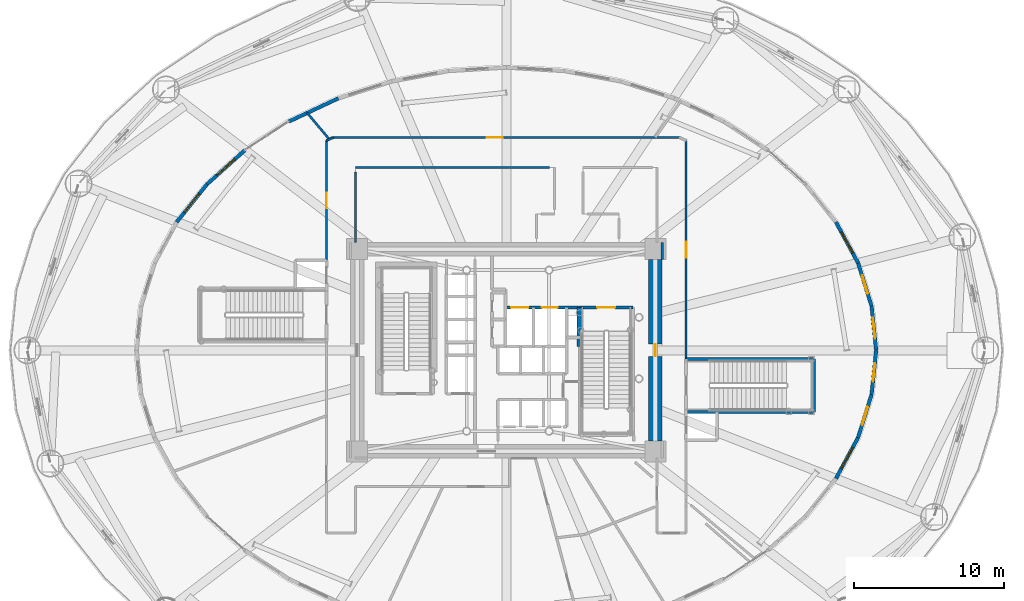
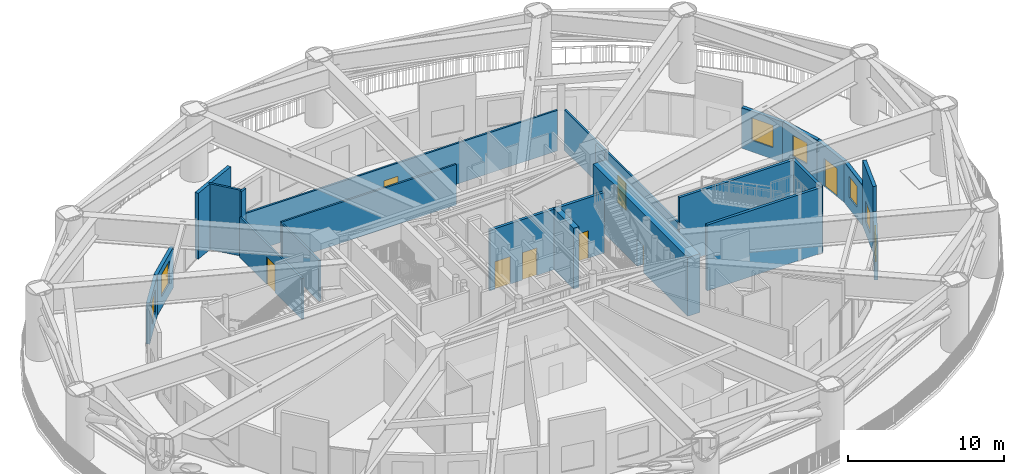
# One storey, part 25 of 39: 23 walls, 8 doors, 7 windows, 15 openings.
"""IFC4 building model written with IfcOpenShell, lengths in metres."""

from ifc_helpers import new_model, si_unit, direction, frame, frame_2d, origin, origin_2d, place, context, subcontext, project, spatial, rectangle, extrude, source, transform, mapped, material, layer, layer_set, type_object, element, fill, save


model = new_model("IFC4")

# Units and contexts
model_context = context("Model", 3, precision=1e-05, world=origin(), true_north=direction((0.0, 1.0)))
body_context = subcontext(model_context, "Body", "Model", "MODEL_VIEW")
ifc_project = project(units=[si_unit("LENGTHUNIT", "METRE"), si_unit("AREAUNIT", "SQUARE_METRE"), si_unit("VOLUMEUNIT", "CUBIC_METRE"), si_unit("PLANEANGLEUNIT", "RADIAN"), si_unit("MASSUNIT", "GRAM", prefix="KILO")], contexts=[model_context])

# Site, building, storey
site_placement = place(None, origin())
site = spatial("IfcSite", under=ifc_project, at=site_placement, CompositionType="ELEMENT")
building_placement = place(site_placement, origin())
building = spatial("IfcBuilding", under=site, at=building_placement, Name="Linh Dai School and Residence Tower", CompositionType="ELEMENT")
storey_placement = place(building_placement, frame((0.0, 0.0, 27.0)))
storey = spatial("IfcBuildingStorey", under=building, at=storey_placement, Name="L06", CompositionType="ELEMENT", Elevation=27.0)

# Wall, opening, door
ifc_material_1 = material(Name="Precast Concrete B45 (C35/45)", Category="concrete")
ifc_layer_1 = layer(ifc_material_1, 0.25)
ifc_layer_set_1 = layer_set([ifc_layer_1], Name="Precast Concrete B45 (C35/45)")
wall_type_1 = type_object("IfcWallType", Name="EW-TC-250", PredefinedType="SOLIDWALL", material=ifc_layer_set_1)
wall_1_placement = place(storey_placement, frame((60.372314453125, 29.947021484375, 0.0), z_axis=(0.0, 0.0, 1.0), x_axis=(0.102187785323, -0.994765126314, 0.0)))
wall_1 = element("IfcWall", 1, at=wall_1_placement, inside=storey, type_object=wall_type_1, Name="L06 Terracotta Exterior Wall 01", PredefinedType="SOLIDWALL", context=body_context, shape_type="SweptSolid", body=[
    extrude(rectangle(XDim=2.962646484375, YDim=0.25, at=frame_2d((1.4814453125, 0.0))), origin(), (0.0, 0.0, 1.0), 3.18505859375),
])
opening_1_placement = place(wall_1_placement, frame((0.78125, 0.0, 0.0)))
opening_1 = element("IfcOpeningElement", 2, at=opening_1_placement, cuts=wall_1, Name="Opening DD1", PredefinedType="OPENING", context=body_context, shape_type="SweptSolid", body=[
    extrude(rectangle(XDim=1.39990234375, YDim=2.199951171875, at=origin_2d()), frame((0.699951171875, 0.135009765625, 1.10009765625), z_axis=(0.0, -1.0, 0.0), x_axis=(1.0, 0.0, 0.0)), (0.0, 0.0, 1.0), 0.27001953125),
])
ifc_material_2 = material(Name="Glazed Aluminium Terrace Door", Category="aluminium")
door_type_1 = type_object("IfcDoorType", Name="DR-DECK-1400x2200", OperationType="NOTDEFINED", PredefinedType="DOOR", material=ifc_material_2)
shared_shape_1 = source(origin(), body_context, "Body", "SweptSolid", [
    extrude(rectangle(XDim=1.39990234375, YDim=2.199951171875, at=origin_2d()), frame((0.699951171875, 0.02490234375, 1.10009765625), z_axis=(0.0, -1.0, 0.0), x_axis=(1.0, 0.0, 0.0)), (0.0, 0.0, 1.0), 0.050048828125),
])
door_1_placement = place(opening_1_placement, origin())
door_1 = element("IfcDoor", 3, at=door_1_placement, inside=storey, type_object=door_type_1, Name="L06 Outdoor Terrace Access Door 01", OperationType="SINGLE_SWING_RIGHT", OverallHeight=2.199951171875, OverallWidth=1.39990234375, PredefinedType="DOOR", context=body_context, shape_type="MappedRepresentation", body=[
    mapped(shared_shape_1, transform((0.0, 0.0, 0.0), x_axis=(1.0, 0.0, 0.0), y_axis=(0.0, 1.0, 0.0), z_axis=(0.0, 0.0, 1.0), scale=1.0)),
])
fill(opening_1, door_1)

# Wall, opening, window
wall_2_placement = place(storey_placement, frame((59.47119140625, 32.822509765625, 0.0), z_axis=(0.0, 0.0, 1.0), x_axis=(0.299040684125, -0.954240362402, 0.0)))
wall_2 = element("IfcWall", 4, at=wall_2_placement, inside=storey, type_object=wall_type_1, Name="L06 Terracotta Exterior Wall 02", PredefinedType="SOLIDWALL", context=body_context, shape_type="SweptSolid", body=[
    extrude(rectangle(XDim=3.013427734375, YDim=0.25, at=frame_2d((1.5068359375, 0.0))), origin(), (0.0, 0.0, 1.0), 3.18505859375),
])
opening_2_placement = place(wall_2_placement, frame((0.881591796875, 0.0, 0.89990234375)))
opening_2 = element("IfcOpeningElement", 5, at=opening_2_placement, cuts=wall_2, Name="Opening W3", PredefinedType="OPENING", context=body_context, shape_type="SweptSolid", body=[
    extrude(rectangle(XDim=1.25, YDim=1.64990234375, at=origin_2d()), frame((0.625, 0.135009765625, 0.824951171875), z_axis=(0.0, -1.0, 0.0), x_axis=(1.0, 0.0, 0.0)), (0.0, 0.0, 1.0), 0.27001953125),
])
ifc_material_3 = material(Name="Double Low-E Insulated Glazing", Category="glass")
window_type_1 = type_object("IfcWindowType", Name="WN-RES-1250x1650", PartitioningType="SINGLE_PANEL", PredefinedType="WINDOW", material=ifc_material_3)
shared_shape_2 = source(origin(), body_context, "Body", "SweptSolid", [
    extrude(rectangle(XDim=1.25, YDim=1.64990234375, at=origin_2d()), frame((0.625, 0.030029296875, 0.824951171875), z_axis=(0.0, -1.0, 0.0), x_axis=(1.0, 0.0, 0.0)), (0.0, 0.0, 1.0), 0.06005859375),
])
window_1_placement = place(opening_2_placement, origin())
window_1 = element("IfcWindow", 6, at=window_1_placement, inside=storey, type_object=window_type_1, Name="L06 Exterior Window 02.1", OverallHeight=1.64990234375, OverallWidth=1.25, PartitioningType="SINGLE_PANEL", PredefinedType="WINDOW", context=body_context, shape_type="MappedRepresentation", body=[
    mapped(shared_shape_2, transform((0.0, 0.0, 0.0), x_axis=(1.0, 0.0, 0.0), y_axis=(0.0, 1.0, 0.0), z_axis=(0.0, 0.0, 1.0), scale=1.0)),
])
fill(opening_2, window_1)

wall_3_placement = place(storey_placement, frame((57.992919921875, 35.556640625, 0.0), z_axis=(0.0, 0.0, 1.0), x_axis=(0.475607390776, -0.879657666276, 0.0)))
wall_3 = element("IfcWall", 7, at=wall_3_placement, inside=storey, type_object=wall_type_1, Name="L06 Terracotta Exterior Wall 03", PredefinedType="SOLIDWALL", context=body_context, shape_type="SweptSolid", body=[
    extrude(rectangle(XDim=3.108154296875, YDim=0.25, at=frame_2d((1.55419921875, 0.0))), origin(), (0.0, 0.0, 1.0), 3.18505859375),
])
opening_3_placement = place(wall_3_placement, frame((0.75390625, 0.0, 0.89990234375)))
opening_3 = element("IfcOpeningElement", 8, at=opening_3_placement, cuts=wall_3, Name="Opening W2", PredefinedType="OPENING", context=body_context, shape_type="SweptSolid", body=[
    extrude(rectangle(XDim=1.60009765625, YDim=1.75, at=origin_2d()), frame((0.800048828125, 0.135009765625, 0.875), z_axis=(0.0, -1.0, 0.0), x_axis=(1.0, 0.0, 0.0)), (0.0, 0.0, 1.0), 0.27001953125),
])
window_type_2 = type_object("IfcWindowType", Name="WN-RES-1600x1750", PartitioningType="DOUBLE_PANEL_VERTICAL", PredefinedType="WINDOW", material=ifc_material_3)
shared_shape_3 = source(origin(), body_context, "Body", "SweptSolid", [
    extrude(rectangle(XDim=1.60009765625, YDim=1.75, at=origin_2d()), frame((0.800048828125, 0.030029296875, 0.875), z_axis=(0.0, -1.0, 0.0), x_axis=(1.0, 0.0, 0.0)), (0.0, 0.0, 1.0), 0.06005859375),
])
window_2_placement = place(opening_3_placement, origin())
window_2 = element("IfcWindow", 9, at=window_2_placement, inside=storey, type_object=window_type_2, Name="L06 Exterior Window 03.1", OverallHeight=1.75, OverallWidth=1.60009765625, PartitioningType="DOUBLE_PANEL_VERTICAL", PredefinedType="WINDOW", context=body_context, shape_type="MappedRepresentation", body=[
    mapped(shared_shape_3, transform((0.0, 0.0, 0.0), x_axis=(1.0, 0.0, 0.0), y_axis=(0.0, 1.0, 0.0), z_axis=(0.0, 0.0, 1.0), scale=1.0)),
])
fill(opening_3, window_2)

# Wall
wall_4_placement = place(storey_placement, frame((21.483642578125, 42.26220703125, 0.0), z_axis=(0.0, 0.0, 1.0), x_axis=(0.905208052634, 0.424968682901, 0.0)))
element("IfcWall", 10, at=wall_4_placement, inside=storey, type_object=wall_type_1, Name="L06 Terracotta Exterior Wall 14", PredefinedType="SOLIDWALL", context=body_context, shape_type="SweptSolid", body=[
    extrude(rectangle(XDim=3.648681640625, YDim=0.25, at=frame_2d((1.82421875, 0.0))), origin(), (0.0, 0.0, 1.0), 5.14990234375),
])

# Wall, opening, window
wall_5_placement = place(storey_placement, frame((16.027099609375, 38.08203125, 0.0), z_axis=(0.0, 0.0, 1.0), x_axis=(0.744436778288, 0.66769295573, 0.0)))
wall_5 = element("IfcWall", 11, at=wall_5_placement, inside=storey, type_object=wall_type_1, Name="L06 Terracotta Exterior Wall 16", PredefinedType="SOLIDWALL", context=body_context, shape_type="SweptSolid", body=[
    extrude(rectangle(XDim=3.375244140625, YDim=0.25, at=frame_2d((1.6875, 0.0))), origin(), (0.0, 0.0, 1.0), 3.18505859375),
])
opening_4_placement = place(wall_5_placement, frame((0.887939453125, 0.0, 0.89990234375)))
opening_4 = element("IfcOpeningElement", 12, at=opening_4_placement, cuts=wall_5, Name="Opening W2", PredefinedType="OPENING", context=body_context, shape_type="SweptSolid", body=[
    extrude(rectangle(XDim=1.60009765625, YDim=1.75, at=origin_2d()), frame((0.800048828125, 0.135009765625, 0.875), z_axis=(0.0, -1.0, 0.0), x_axis=(1.0, 0.0, 0.0)), (0.0, 0.0, 1.0), 0.27001953125),
])
window_3_placement = place(opening_4_placement, origin())
window_3 = element("IfcWindow", 13, at=window_3_placement, inside=storey, type_object=window_type_2, Name="L06 Exterior Window 16.1", OverallHeight=1.75, OverallWidth=1.60009765625, PartitioningType="DOUBLE_PANEL_VERTICAL", PredefinedType="WINDOW", context=body_context, shape_type="MappedRepresentation", body=[
    mapped(shared_shape_3, transform((0.0, 0.0, 0.0), x_axis=(1.0, 0.0, 0.0), y_axis=(0.0, 1.0, 0.0), z_axis=(0.0, 0.0, 1.0), scale=1.0)),
])
fill(opening_4, window_3)

wall_6_placement = place(storey_placement, frame((14.007080078125, 35.556640625, 0.0), z_axis=(0.0, 0.0, 1.0), x_axis=(0.624639806262, 0.780912999272, 0.0)))
wall_6 = element("IfcWall", 14, at=wall_6_placement, inside=storey, type_object=wall_type_1, Name="L06 Terracotta Exterior Wall 17", PredefinedType="SOLIDWALL", context=body_context, shape_type="SweptSolid", body=[
    extrude(rectangle(XDim=3.23388671875, YDim=0.25, at=frame_2d((1.616943359375, 0.0))), origin(), (0.0, 0.0, 1.0), 3.18505859375),
])
opening_5_placement = place(wall_6_placement, frame((0.817138671875, 0.0, 0.89990234375)))
opening_5 = element("IfcOpeningElement", 15, at=opening_5_placement, cuts=wall_6, Name="Opening W2", PredefinedType="OPENING", context=body_context, shape_type="SweptSolid", body=[
    extrude(rectangle(XDim=1.60009765625, YDim=1.75, at=origin_2d()), frame((0.800048828125, 0.135009765625, 0.875), z_axis=(0.0, -1.0, 0.0), x_axis=(1.0, 0.0, 0.0)), (0.0, 0.0, 1.0), 0.27001953125),
])
window_4_placement = place(opening_5_placement, origin())
window_4 = element("IfcWindow", 16, at=window_4_placement, inside=storey, type_object=window_type_2, Name="L06 Exterior Window 17.1", OverallHeight=1.75, OverallWidth=1.60009765625, PartitioningType="DOUBLE_PANEL_VERTICAL", PredefinedType="WINDOW", context=body_context, shape_type="MappedRepresentation", body=[
    mapped(shared_shape_3, transform((0.0, 0.0, 0.0), x_axis=(1.0, 0.0, 0.0), y_axis=(0.0, 1.0, 0.0), z_axis=(0.0, 0.0, 1.0), scale=1.0)),
])
fill(opening_5, window_4)

wall_7_placement = place(storey_placement, frame((59.47119140625, 21.177490234375, 0.0), z_axis=(0.0, 0.0, 1.0), x_axis=(-0.475607390776, -0.879657666276, 0.0)))
wall_7 = element("IfcWall", 17, at=wall_7_placement, inside=storey, type_object=wall_type_1, Name="L06 Terracotta Exterior Wall 38", PredefinedType="SOLIDWALL", context=body_context, shape_type="SweptSolid", body=[
    extrude(rectangle(XDim=3.108154296875, YDim=0.25, at=frame_2d((1.55419921875, 0.0))), origin(), (0.0, 0.0, 1.0), 3.18505859375),
])
opening_6_placement = place(wall_7_placement, frame((0.75439453125, 0.0, 0.89990234375)))
opening_6 = element("IfcOpeningElement", 18, at=opening_6_placement, cuts=wall_7, Name="Opening W2", PredefinedType="OPENING", context=body_context, shape_type="SweptSolid", body=[
    extrude(rectangle(XDim=1.60009765625, YDim=1.75, at=origin_2d()), frame((0.800048828125, 0.135009765625, 0.875), z_axis=(0.0, -1.0, 0.0), x_axis=(1.0, 0.0, 0.0)), (0.0, 0.0, 1.0), 0.27001953125),
])
window_5_placement = place(opening_6_placement, origin())
window_5 = element("IfcWindow", 19, at=window_5_placement, inside=storey, type_object=window_type_2, Name="L06 Exterior Window 38.1", OverallHeight=1.75, OverallWidth=1.60009765625, PartitioningType="DOUBLE_PANEL_VERTICAL", PredefinedType="WINDOW", context=body_context, shape_type="MappedRepresentation", body=[
    mapped(shared_shape_3, transform((0.0, 0.0, 0.0), x_axis=(1.0, 0.0, 0.0), y_axis=(0.0, 1.0, 0.0), z_axis=(0.0, 0.0, 1.0), scale=1.0)),
])
fill(opening_6, window_5)

wall_8_placement = place(storey_placement, frame((60.372314453125, 24.052978515625, 0.0), z_axis=(0.0, 0.0, 1.0), x_axis=(-0.299040684125, -0.954240362402, 0.0)))
wall_8 = element("IfcWall", 20, at=wall_8_placement, inside=storey, type_object=wall_type_1, Name="L06 Terracotta Exterior Wall 39", PredefinedType="SOLIDWALL", context=body_context, shape_type="SweptSolid", body=[
    extrude(rectangle(XDim=3.013427734375, YDim=0.25, at=frame_2d((1.5068359375, 0.0))), origin(), (0.0, 0.0, 1.0), 5.14990234375),
])
opening_7_placement = place(wall_8_placement, frame((0.8818359375, 0.0, 0.89990234375)))
opening_7 = element("IfcOpeningElement", 21, at=opening_7_placement, cuts=wall_8, Name="Opening W3", PredefinedType="OPENING", context=body_context, shape_type="SweptSolid", body=[
    extrude(rectangle(XDim=1.25, YDim=1.64990234375, at=origin_2d()), frame((0.625, 0.135009765625, 0.824951171875), z_axis=(0.0, -1.0, 0.0), x_axis=(1.0, 0.0, 0.0)), (0.0, 0.0, 1.0), 0.27001953125),
])
window_6_placement = place(opening_7_placement, origin())
window_6 = element("IfcWindow", 22, at=window_6_placement, inside=storey, type_object=window_type_1, Name="L06 Exterior Window 39.1", OverallHeight=1.64990234375, OverallWidth=1.25, PartitioningType="SINGLE_PANEL", PredefinedType="WINDOW", context=body_context, shape_type="MappedRepresentation", body=[
    mapped(shared_shape_2, transform((0.0, 0.0, 0.0), x_axis=(1.0, 0.0, 0.0), y_axis=(0.0, 1.0, 0.0), z_axis=(0.0, 0.0, 1.0), scale=1.0)),
])
fill(opening_7, window_6)

wall_9_placement = place(storey_placement, frame((60.675048828125, 27.0, 0.0), z_axis=(0.0, 0.0, 1.0), x_axis=(-0.102187785323, -0.994765126314, 0.0)))
wall_9 = element("IfcWall", 23, at=wall_9_placement, inside=storey, type_object=wall_type_1, Name="L06 Terracotta Exterior Wall 40", PredefinedType="SOLIDWALL", context=body_context, shape_type="SweptSolid", body=[
    extrude(rectangle(XDim=2.962646484375, YDim=0.25, at=frame_2d((1.4814453125, 0.0))), origin(), (0.0, 0.0, 1.0), 3.18505859375),
])
opening_8_placement = place(wall_9_placement, frame((0.856201171875, 0.0, 0.89990234375)))
opening_8 = element("IfcOpeningElement", 24, at=opening_8_placement, cuts=wall_9, Name="Opening W3", PredefinedType="OPENING", context=body_context, shape_type="SweptSolid", body=[
    extrude(rectangle(XDim=1.25, YDim=1.64990234375, at=origin_2d()), frame((0.625, 0.135009765625, 0.824951171875), z_axis=(0.0, -1.0, 0.0), x_axis=(1.0, 0.0, 0.0)), (0.0, 0.0, 1.0), 0.27001953125),
])
window_7_placement = place(opening_8_placement, origin())
window_7 = element("IfcWindow", 25, at=window_7_placement, inside=storey, type_object=window_type_1, Name="L06 Exterior Window 40.1", OverallHeight=1.64990234375, OverallWidth=1.25, PartitioningType="SINGLE_PANEL", PredefinedType="WINDOW", context=body_context, shape_type="MappedRepresentation", body=[
    mapped(shared_shape_2, transform((0.0, 0.0, 0.0), x_axis=(1.0, 0.0, 0.0), y_axis=(0.0, 1.0, 0.0), z_axis=(0.0, 0.0, 1.0), scale=1.0)),
])
fill(opening_8, window_7)

# Wall, opening, door
ifc_material_4 = material(Name="Autoclaved Aerated Concrete Blockwork", Category="masonry")
ifc_layer_2 = layer(ifc_material_4, 0.135009765625)
ifc_layer_set_2 = layer_set([ifc_layer_2], Name="Autoclaved Aerated Concrete Blockwork")
wall_type_2 = type_object("IfcWallType", Name="IW-CORR-135-EI90", PredefinedType="PARTITIONING", material=ifc_layer_set_2)
wall_10_placement = place(storey_placement, frame((24.0, 33.010009765625, 0.0), z_axis=(0.0, 0.0, 1.0), x_axis=(0.0, 1.0, 0.0)))
wall_10 = element("IfcWall", 26, at=wall_10_placement, inside=storey, type_object=wall_type_2, Name="L06 Interior Partition Wall 011", PredefinedType="PARTITIONING", context=body_context, shape_type="SweptSolid", body=[
    extrude(rectangle(XDim=7.975830078125, YDim=0.135009765625, at=frame_2d((3.98779296875, 0.0))), origin(), (0.0, 0.0, 1.0), 3.18505859375),
])
opening_9_placement = place(wall_10_placement, frame((3.462890625, 0.0, 0.0)))
opening_9 = element("IfcOpeningElement", 27, at=opening_9_placement, cuts=wall_10, Name="Opening D04", PredefinedType="OPENING", context=body_context, shape_type="SweptSolid", body=[
    extrude(rectangle(XDim=1.050048828125, YDim=2.14990234375, at=origin_2d()), frame((0.52490234375, 0.07763671875, 1.074951171875), z_axis=(0.0, -1.0, 0.0), x_axis=(1.0, 0.0, 0.0)), (0.0, 0.0, 1.0), 0.155029296875),
])
ifc_material_5 = material(Name="Acoustic Vision-Panel Timber Classroom Door", Category="wood")
door_type_2 = type_object("IfcDoorType", Name="DR-SCH-1050x2150-FD60S", OperationType="NOTDEFINED", PredefinedType="DOOR", material=ifc_material_5)
shared_shape_4 = source(origin(), body_context, "Body", "SweptSolid", [
    extrude(rectangle(XDim=1.050048828125, YDim=2.14990234375, at=origin_2d()), frame((0.52490234375, 0.02490234375, 1.074951171875), z_axis=(0.0, -1.0, 0.0), x_axis=(1.0, 0.0, 0.0)), (0.0, 0.0, 1.0), 0.050048828125),
])
door_2_placement = place(opening_9_placement, origin())
door_2 = element("IfcDoor", 28, at=door_2_placement, inside=storey, type_object=door_type_2, Name="L06 Botanical Greenhouse Teaching Lab Door", OperationType="SINGLE_SWING_LEFT", OverallHeight=2.14990234375, OverallWidth=1.050048828125, PredefinedType="DOOR", context=body_context, shape_type="MappedRepresentation", body=[
    mapped(shared_shape_4, transform((0.0, 0.0, 0.0), x_axis=(1.0, 0.0, 0.0), y_axis=(0.0, 1.0, 0.0), z_axis=(0.0, 0.0, 1.0), scale=1.0)),
])
fill(opening_9, door_2)

# Wall
wall_11_placement = place(storey_placement, frame((24.0, 40.98583984375, 0.0), z_axis=(0.0, 0.0, 1.0), x_axis=(0.905313139204, 0.424744770404, 0.0)))
element("IfcWall", 29, at=wall_11_placement, inside=storey, type_object=wall_type_2, Name="L06 Interior Partition Wall 012", PredefinedType="PARTITIONING", context=body_context, shape_type="SweptSolid", body=[
    extrude(rectangle(XDim=0.5029296875, YDim=0.135009765625, at=frame_2d((0.25146484375, 0.0))), origin(), (0.0, 0.0, 1.0), 5.14990234375),
])

# Wall, opening, door
wall_12_placement = place(storey_placement, frame((24.456298828125, 41.199951171875, 0.0), z_axis=(0.0, 0.0, 1.0), x_axis=(1.0, 0.0, 0.0)))
wall_12 = element("IfcWall", 30, at=wall_12_placement, inside=storey, type_object=wall_type_2, Name="L06 Interior Partition Wall 013", PredefinedType="PARTITIONING", context=body_context, shape_type="SweptSolid", body=[
    extrude(rectangle(XDim=23.08740234375, YDim=0.135009765625, at=frame_2d((11.543701171875, 0.0))), origin(), (0.0, 0.0, 1.0), 3.18505859375),
])
opening_10_placement = place(wall_12_placement, frame((10.23828125, 0.0, 0.0)))
opening_10 = element("IfcOpeningElement", 31, at=opening_10_placement, cuts=wall_12, Name="Opening D04", PredefinedType="OPENING", context=body_context, shape_type="SweptSolid", body=[
    extrude(rectangle(XDim=1.050048828125, YDim=2.14990234375, at=origin_2d()), frame((0.52490234375, 0.07763671875, 1.074951171875), z_axis=(0.0, -1.0, 0.0), x_axis=(1.0, 0.0, 0.0)), (0.0, 0.0, 1.0), 0.155029296875),
])
door_3_placement = place(opening_10_placement, origin())
door_3 = element("IfcDoor", 32, at=door_3_placement, inside=storey, type_object=door_type_2, Name="L06 Sculpture and Ceramics Arts Studio Door", OperationType="SINGLE_SWING_RIGHT", OverallHeight=2.14990234375, OverallWidth=1.050048828125, PredefinedType="DOOR", context=body_context, shape_type="MappedRepresentation", body=[
    mapped(shared_shape_4, transform((0.0, 0.0, 0.0), x_axis=(1.0, 0.0, 0.0), y_axis=(0.0, 1.0, 0.0), z_axis=(0.0, 0.0, 1.0), scale=1.0)),
])
fill(opening_10, door_3)

wall_13_placement = place(storey_placement, frame((48.0, 26.429931640625, 0.0), z_axis=(0.0, 0.0, 1.0), x_axis=(0.0, 1.0, 0.0)))
wall_13 = element("IfcWall", 33, at=wall_13_placement, inside=storey, type_object=wall_type_2, Name="L06 Interior Partition Wall 066", PredefinedType="PARTITIONING", context=body_context, shape_type="SweptSolid", body=[
    extrude(rectangle(XDim=14.555908203125, YDim=0.135009765625, at=frame_2d((7.27783203125, 0.0))), origin(), (0.0, 0.0, 1.0), 3.18505859375),
])
opening_11_placement = place(wall_13_placement, frame((6.7529296875, 0.0, 0.0)))
opening_11 = element("IfcOpeningElement", 34, at=opening_11_placement, cuts=wall_13, Name="Opening D04", PredefinedType="OPENING", context=body_context, shape_type="SweptSolid", body=[
    extrude(rectangle(XDim=1.050048828125, YDim=2.14990234375, at=origin_2d()), frame((0.52490234375, 0.07763671875, 1.074951171875), z_axis=(0.0, -1.0, 0.0), x_axis=(1.0, 0.0, 0.0)), (0.0, 0.0, 1.0), 0.155029296875),
])
door_4_placement = place(opening_11_placement, origin())
door_4 = element("IfcDoor", 35, at=door_4_placement, inside=storey, type_object=door_type_2, Name="L06 Indoor Wet-Weather Play Pavilion Door", OperationType="SINGLE_SWING_LEFT", OverallHeight=2.14990234375, OverallWidth=1.050048828125, PredefinedType="DOOR", context=body_context, shape_type="MappedRepresentation", body=[
    mapped(shared_shape_4, transform((0.0, 0.0, 0.0), x_axis=(1.0, 0.0, 0.0), y_axis=(0.0, 1.0, 0.0), z_axis=(0.0, 0.0, 1.0), scale=1.0)),
])
fill(opening_11, door_4)

# Walls
wall_14_placement = place(storey_placement, frame((46.39990234375, 33.06005859375, 0.0), z_axis=(0.0, 0.0, 1.0), x_axis=(0.0, 1.0, 0.0)))
element("IfcWall", 36, at=wall_14_placement, inside=storey, type_object=wall_type_2, Name="L06 Interior Partition Wall 083", PredefinedType="PARTITIONING", context=body_context, shape_type="SweptSolid", body=[
    extrude(rectangle(XDim=1.139892578125, YDim=0.135009765625, at=frame_2d((0.56982421875, 0.0))), origin(), (0.0, 0.0, 1.0), 5.14990234375),
])
wall_15_placement = place(storey_placement, frame((38.892578125, 39.199951171875, 0.0), z_axis=(0.0, 0.0, 1.0), x_axis=(-1.0, 0.0, 0.0)))
element("IfcWall", 37, at=wall_15_placement, inside=storey, type_object=wall_type_2, Name="L06 Interior Partition Wall 092", PredefinedType="PARTITIONING", context=body_context, shape_type="SweptSolid", body=[
    extrude(rectangle(XDim=12.942626953125, YDim=0.135009765625, at=frame_2d((6.47119140625, 0.0))), origin(), (0.0, 0.0, 1.0), 3.18505859375),
])
wall_16_placement = place(storey_placement, frame((25.949951171875, 38.892578125, 0.0), z_axis=(0.0, 0.0, 1.0), x_axis=(0.0, -1.0, 0.0)))
element("IfcWall", 38, at=wall_16_placement, inside=storey, type_object=wall_type_2, Name="L06 Interior Partition Wall 093", PredefinedType="PARTITIONING", context=body_context, shape_type="SweptSolid", body=[
    extrude(rectangle(XDim=4.692626953125, YDim=0.135009765625, at=frame_2d((2.34619140625, 0.0))), origin(), (0.0, 0.0, 1.0), 3.18505859375),
])
ifc_layer_3 = layer(ifc_material_4, 0.14990234375)
ifc_layer_set_3 = layer_set([ifc_layer_3], Name="Autoclaved Aerated Concrete Blockwork")
wall_type_3 = type_object("IfcWallType", Name="IW-SCH-150-EI60", PredefinedType="PARTITIONING", material=ifc_layer_set_3)
wall_17_placement = place(storey_placement, frame((22.70703125, 42.842041015625, 0.0), z_axis=(0.0, 0.0, 1.0), x_axis=(0.642762571273, -0.766065452145, 0.0)))
element("IfcWall", 39, at=wall_17_placement, inside=storey, type_object=wall_type_3, Name="L06 Interior Partition Wall 007", PredefinedType="PARTITIONING", context=body_context, shape_type="SweptSolid", body=[
    extrude(rectangle(XDim=2.306640625, YDim=0.14990234375, at=frame_2d((1.1533203125, 0.0))), origin(), (0.0, 0.0, 1.0), 5.14990234375),
])

# Wall, openings, doors
ifc_material_6 = material(Name="Concrete B45 (C35/45)", Category="concrete")
ifc_layer_4 = layer(ifc_material_6, 0.199951171875)
ifc_layer_set_4 = layer_set([ifc_layer_4], Name="Concrete B45 (C35/45)")
wall_type_4 = type_object("IfcWallType", Name="IW-SHAFT-200-EI120", PredefinedType="PARTITIONING", material=ifc_layer_set_4)
wall_18_placement = place(storey_placement, frame((35.949951171875, 29.85009765625, 0.0), z_axis=(0.0, 0.0, 1.0), x_axis=(1.0, 0.0, 0.0)))
wall_18 = element("IfcWall", 40, at=wall_18_placement, inside=storey, type_object=wall_type_4, Name="L06 Interior Partition Wall 037", PredefinedType="PARTITIONING", context=body_context, shape_type="SweptSolid", body=[
    extrude(rectangle(XDim=8.489990234375, YDim=0.199951171875, at=frame_2d((4.2451171875, 0.0))), origin(), (0.0, 0.0, 1.0), 4.735107421875),
])
opening_12_placement = place(wall_18_placement, frame((6.10009765625, 0.0, 0.0)))
opening_12 = element("IfcOpeningElement", 41, at=opening_12_placement, cuts=wall_18, Name="Opening D01", PredefinedType="OPENING", context=body_context, shape_type="SweptSolid", body=[
    extrude(rectangle(XDim=1.199951171875, YDim=2.14990234375, at=origin_2d()), frame((0.60009765625, 0.10986328125, 1.074951171875), z_axis=(0.0, -1.0, 0.0), x_axis=(1.0, 0.0, 0.0)), (0.0, 0.0, 1.0), 0.219970703125),
])
opening_13_placement = place(wall_18_placement, frame((0.3701171875, 0.0, 0.0)))
opening_13 = element("IfcOpeningElement", 42, at=opening_13_placement, cuts=wall_18, Name="Opening LD-FF1", PredefinedType="OPENING", context=body_context, shape_type="SweptSolid", body=[
    extrude(rectangle(XDim=1.14990234375, YDim=2.14990234375, at=origin_2d()), frame((0.574951171875, 0.10986328125, 1.074951171875), z_axis=(0.0, -1.0, 0.0), x_axis=(1.0, 0.0, 0.0)), (0.0, 0.0, 1.0), 0.219970703125),
])
opening_14_placement = place(wall_18_placement, frame((2.425048828125, 0.0, 0.0)))
opening_14 = element("IfcOpeningElement", 43, at=opening_14_placement, cuts=wall_18, Name="Opening LD-SV1", PredefinedType="OPENING", context=body_context, shape_type="SweptSolid", body=[
    extrude(rectangle(XDim=1.050048828125, YDim=2.14990234375, at=origin_2d()), frame((0.52490234375, 0.10986328125, 1.074951171875), z_axis=(0.0, -1.0, 0.0), x_axis=(1.0, 0.0, 0.0)), (0.0, 0.0, 1.0), 0.219970703125),
])
ifc_material_7 = material(Name="Fire-Rated Steel Door Leaf", Category="steel")
door_type_3 = type_object("IfcDoorType", Name="DR-STAIR-1200x2150-FD90S", OperationType="NOTDEFINED", PredefinedType="DOOR", material=ifc_material_7)
shared_shape_5 = source(origin(), body_context, "Body", "SweptSolid", [
    extrude(rectangle(XDim=1.199951171875, YDim=2.14990234375, at=origin_2d()), frame((0.60009765625, 0.02490234375, 1.074951171875), z_axis=(0.0, -1.0, 0.0), x_axis=(1.0, 0.0, 0.0)), (0.0, 0.0, 1.0), 0.050048828125),
])
door_5_placement = place(opening_12_placement, origin())
door_5 = element("IfcDoor", 44, at=door_5_placement, inside=storey, type_object=door_type_3, Name="L06 Core Smokeproof Exit Stair ST2 Door", OperationType="SINGLE_SWING_RIGHT", OverallHeight=2.14990234375, OverallWidth=1.199951171875, PredefinedType="DOOR", context=body_context, shape_type="MappedRepresentation", body=[
    mapped(shared_shape_5, transform((0.0, 0.0, 0.0), x_axis=(1.0, 0.0, 0.0), y_axis=(0.0, 1.0, 0.0), z_axis=(0.0, 0.0, 1.0), scale=1.0)),
])
fill(opening_12, door_5)
ifc_material_8 = material(Name="Fire-Rated Stainless Steel Firefighting Lift Door", Category="steel")
door_type_4 = type_object("IfcDoorType", Name="DR-LD-FF-1150x2150-FD120", OperationType="DOUBLE_DOOR_SLIDING", PredefinedType="USERDEFINED", material=ifc_material_8)
shared_shape_6 = source(origin(), body_context, "Body", "SweptSolid", [
    extrude(rectangle(XDim=1.14990234375, YDim=2.14990234375, at=origin_2d()), frame((0.574951171875, 0.02490234375, 1.074951171875), z_axis=(0.0, -1.0, 0.0), x_axis=(1.0, 0.0, 0.0)), (0.0, 0.0, 1.0), 0.050048828125),
])
door_6_placement = place(opening_13_placement, origin())
door_6 = element("IfcDoor", 45, at=door_6_placement, inside=storey, type_object=door_type_4, Name="L06 Lift FF1 Sliding Landing Door", ObjectType="LANDING DOOR", OperationType="DOUBLE_DOOR_SLIDING", OverallHeight=2.14990234375, OverallWidth=1.14990234375, PredefinedType="USERDEFINED", context=body_context, shape_type="MappedRepresentation", body=[
    mapped(shared_shape_6, transform((0.0, 0.0, 0.0), x_axis=(1.0, 0.0, 0.0), y_axis=(0.0, 1.0, 0.0), z_axis=(0.0, 0.0, 1.0), scale=1.0)),
])
fill(opening_13, door_6)
ifc_material_9 = material(Name="Brushed Stainless Steel Lift Landing Door", Category="steel")
door_type_5 = type_object("IfcDoorType", Name="DR-LD-PASS-1050x2150", OperationType="DOUBLE_DOOR_SLIDING", PredefinedType="USERDEFINED", material=ifc_material_9)
shared_shape_7 = source(origin(), body_context, "Body", "SweptSolid", [
    extrude(rectangle(XDim=1.050048828125, YDim=2.14990234375, at=origin_2d()), frame((0.52490234375, 0.02490234375, 1.074951171875), z_axis=(0.0, -1.0, 0.0), x_axis=(1.0, 0.0, 0.0)), (0.0, 0.0, 1.0), 0.050048828125),
])
door_7_placement = place(opening_14_placement, origin())
door_7 = element("IfcDoor", 46, at=door_7_placement, inside=storey, type_object=door_type_5, Name="L06 Lift SV1 Sliding Landing Door", ObjectType="LANDING DOOR", OperationType="DOUBLE_DOOR_SLIDING", OverallHeight=2.14990234375, OverallWidth=1.050048828125, PredefinedType="USERDEFINED", context=body_context, shape_type="MappedRepresentation", body=[
    mapped(shared_shape_7, transform((0.0, 0.0, 0.0), x_axis=(1.0, 0.0, 0.0), y_axis=(0.0, 1.0, 0.0), z_axis=(0.0, 0.0, 1.0), scale=1.0)),
])
fill(opening_14, door_7)

# Walls
for number, where, z_axis, x_axis, name in (
    (47, (48.0, 22.8798828125, 0.0), (0.0, 0.0, 1.0), (1.0, 0.0, 0.0), "L06 Interior Partition Wall 065"),
    (48, (48.0, 26.419921875, 0.0), (0.0, 0.0, 1.0), (1.0, 0.0, 0.0), "L06 Interior Partition Wall 067"),
):
    element("IfcWall", number, at=place(storey_placement, frame(where, z_axis=z_axis, x_axis=x_axis)), inside=storey, type_object=wall_type_4, Name=name, PredefinedType="PARTITIONING", context=body_context, shape_type="SweptSolid", body=[
        extrude(rectangle(XDim=8.52001953125, YDim=0.199951171875, at=frame_2d((4.260009765625, 0.0))), origin(), (0.0, 0.0, 1.0), 5.14990234375),
    ])
wall_19_placement = place(storey_placement, frame((56.52001953125, 22.8798828125, 0.0), z_axis=(0.0, 0.0, 1.0), x_axis=(0.0, 1.0, 0.0)))
element("IfcWall", 49, at=wall_19_placement, inside=storey, type_object=wall_type_4, Name="L06 Interior Partition Wall 069", PredefinedType="PARTITIONING", context=body_context, shape_type="SweptSolid", body=[
    extrude(rectangle(XDim=3.5400390625, YDim=0.199951171875, at=frame_2d((1.77001953125, 0.0))), origin(), (0.0, 0.0, 1.0), 5.14990234375),
])
ifc_layer_5 = layer(ifc_material_6, 0.39990234375)
ifc_layer_set_5 = layer_set([ifc_layer_5], Name="Concrete B45 (C35/45)")
wall_type_5 = type_object("IfcWallType", Name="WL-CORE400", PredefinedType="SHEAR", material=ifc_layer_set_5)
wall_20_placement = place(storey_placement, frame((40.89990234375, 27.25, 0.0), z_axis=(0.0, 0.0, 1.0), x_axis=(0.0, 1.0, 0.0)))
element("IfcWall", 50, at=wall_20_placement, inside=storey, type_object=wall_type_5, Name="L06 Internal Core Shear Wall IE", PredefinedType="SHEAR", context=body_context, shape_type="SweptSolid", body=[
    extrude(rectangle(XDim=2.60009765625, YDim=0.39990234375, at=frame_2d((1.300048828125, 0.0))), origin(), (0.0, 0.0, 1.0), 4.75),
])

# Wall, opening, door
ifc_material_10 = material(Name="Concrete B60 (C50/60)", Category="concrete")
ifc_layer_6 = layer(ifc_material_10, 0.89990234375)
ifc_layer_set_6 = layer_set([ifc_layer_6], Name="Concrete B60 (C50/60)")
wall_type_6 = type_object("IfcWallType", Name="WL-CORE900", PredefinedType="SHEAR", material=ifc_layer_set_6)
wall_21_placement = place(storey_placement, frame((45.949951171875, 33.050048828125, 0.0), z_axis=(0.0, 0.0, 1.0), x_axis=(0.0, -1.0, 0.0)))
wall_21 = element("IfcWall", 51, at=wall_21_placement, inside=storey, type_object=wall_type_6, Name="L06 Central Core Shear Wall E", PredefinedType="SHEAR", context=body_context, shape_type="SweptSolid", body=[
    extrude(rectangle(XDim=12.10009765625, YDim=0.89990234375, at=frame_2d((6.050048828125, 0.0))), origin(), (0.0, 0.0, 1.0), 4.60009765625),
])
opening_15_placement = place(wall_21_placement, frame((5.639892578125, 0.0, 0.0)))
opening_15 = element("IfcOpeningElement", 52, at=opening_15_placement, cuts=wall_21, Name="Opening D06", PredefinedType="OPENING", context=body_context, shape_type="SweptSolid", body=[
    extrude(rectangle(XDim=0.820068359375, YDim=2.10009765625, at=origin_2d()), frame((0.41015625, 0.4599609375, 1.050048828125), z_axis=(0.0, -1.0, 0.0), x_axis=(1.0, 0.0, 0.0)), (0.0, 0.0, 1.0), 0.919921875),
])
ifc_material_11 = material(Name="Moisture-Resistant Timber Bathroom Door", Category="wood")
door_type_6 = type_object("IfcDoorType", Name="DR-WET-820x2100", OperationType="NOTDEFINED", PredefinedType="DOOR", material=ifc_material_11)
shared_shape_8 = source(origin(), body_context, "Body", "SweptSolid", [
    extrude(rectangle(XDim=0.820068359375, YDim=2.10009765625, at=origin_2d()), frame((0.41015625, 0.02490234375, 1.050048828125), z_axis=(0.0, -1.0, 0.0), x_axis=(1.0, 0.0, 0.0)), (0.0, 0.0, 1.0), 0.050048828125),
])
door_8_placement = place(opening_15_placement, origin())
door_8 = element("IfcDoor", 53, at=door_8_placement, inside=storey, type_object=door_type_6, Name="L06 Firefighting Lobby Door", OperationType="SINGLE_SWING_LEFT", OverallHeight=2.10009765625, OverallWidth=0.820068359375, PredefinedType="DOOR", context=body_context, shape_type="MappedRepresentation", body=[
    mapped(shared_shape_8, transform((0.0, 0.0, 0.0), x_axis=(1.0, 0.0, 0.0), y_axis=(0.0, 1.0, 0.0), z_axis=(0.0, 0.0, 1.0), scale=1.0)),
])
fill(opening_15, door_8)

save(model, "model.ifc")
